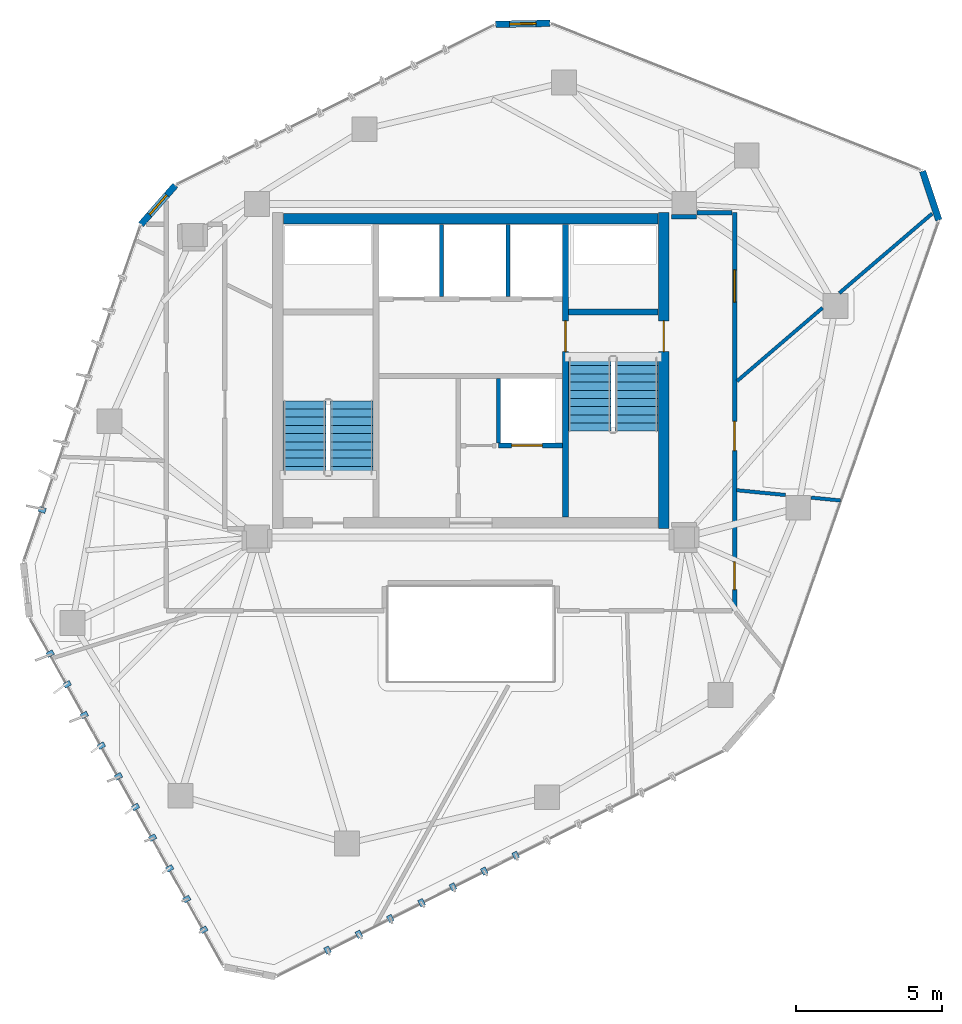
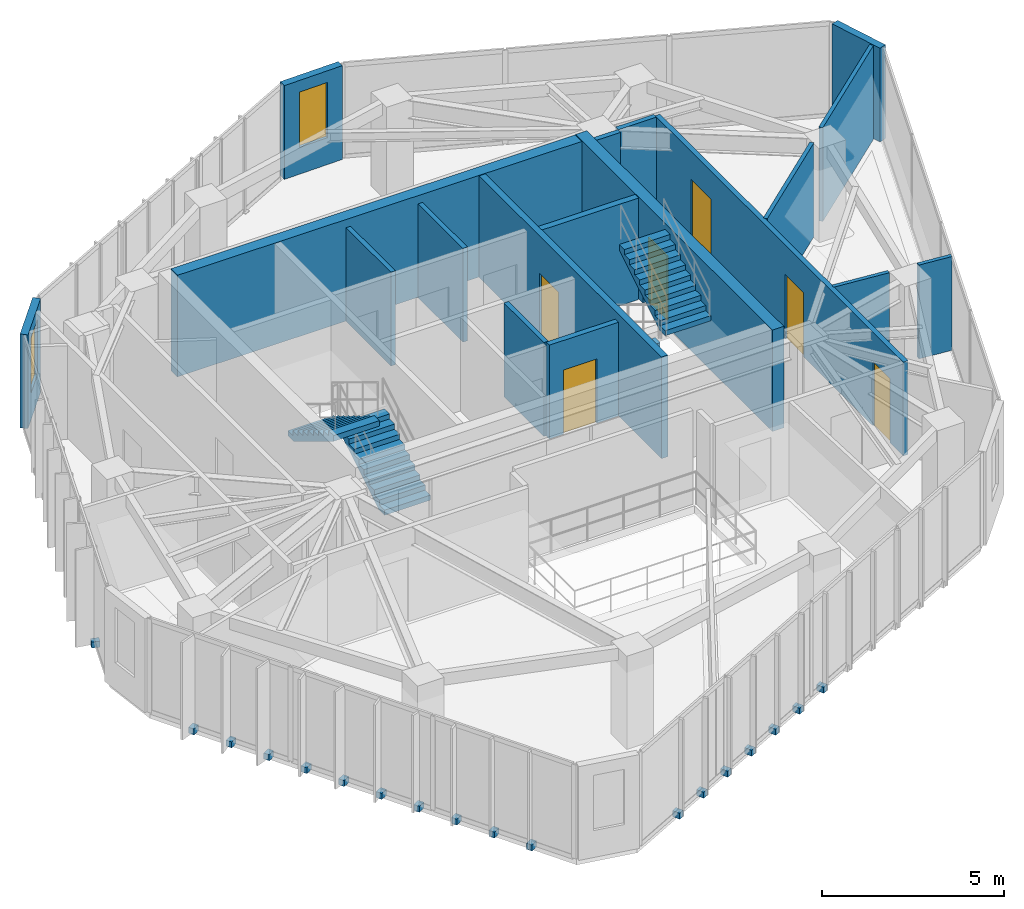
# One storey, part 18 of 21: 18 discrete accessories, 18 walls, 6 doors, 4 stair flights, 2 windows, 8 openings, 2 elements without a shape of their own.
"""IFC4 building model written with IfcOpenShell, lengths in metres."""

from ifc_helpers import new_model, si_unit, direction, frame, frame_2d, origin, origin_2d, place, context, subcontext, project, spatial, polyline, rectangle, outline, extrude, source, transform, mapped, material, layer, layer_set, type_object, type_shapes, element, fill, aggregate, save


model = new_model("IFC4")

# Units and contexts
model_context = context("Model", 3, precision=1e-05, world=origin(), true_north=direction((0.0, 1.0)))
body_context = subcontext(model_context, "Body", "Model", "MODEL_VIEW")
ifc_project = project(units=[si_unit("LENGTHUNIT", "METRE"), si_unit("AREAUNIT", "SQUARE_METRE"), si_unit("VOLUMEUNIT", "CUBIC_METRE"), si_unit("PLANEANGLEUNIT", "RADIAN"), si_unit("MASSUNIT", "GRAM", prefix="KILO")], contexts=[model_context])

# Site, building, storey
site_placement = place(None, origin())
site = spatial("IfcSite", under=ifc_project, at=site_placement, CompositionType="ELEMENT")
building_placement = place(site_placement, origin())
building = spatial("IfcBuilding", under=site, at=building_placement, Name="Talar Marvaseh", CompositionType="ELEMENT")
storey_placement = place(building_placement, frame((0.0, 0.0, 264.60009765625)))
storey = spatial("IfcBuildingStorey", under=building, at=storey_placement, Name="L70", CompositionType="ELEMENT", Elevation=264.60009765625)

# Wall, opening, window
ifc_material_1 = material(Name="Precast concrete C45/55", Category="concrete")
ifc_layer_1 = layer(ifc_material_1, 0.22509765625)
ifc_layer_set_1 = layer_set([ifc_layer_1], Name="Precast concrete C45/55")
wall_type_1 = type_object("IfcWallType", Name="Chamfered Hexagonal Corner Pier Wall Z4 225", PredefinedType="SOLIDWALL", material=ifc_layer_set_1)
wall_1_placement = place(storey_placement, frame((14.731689453125, 36.197998046875, 0.0), z_axis=(0.0, 0.0, 1.0), x_axis=(0.659387516574, 0.751803234222, 0.0)))
wall_1 = element("IfcWall", 1, at=wall_1_placement, inside=storey, type_object=wall_type_1, Name="L70 Chamfered Corner Limestone Pier 3", PredefinedType="SOLIDWALL", context=body_context, shape_type="SweptSolid", body=[
    extrude(rectangle(XDim=1.780517578125, YDim=0.22509765625, at=frame_2d((0.89013671875, 0.0))), origin(), (0.0, 0.0, 1.0), 3.139892578125),
])
opening_1_placement = place(wall_1_placement, frame((0.43994140625, 0.0, 0.89990234375)))
opening_1 = element("IfcOpeningElement", 2, at=opening_1_placement, cuts=wall_1, Name="Opening WN-CHM09", PredefinedType="OPENING", context=body_context, shape_type="SweptSolid", body=[
    extrude(rectangle(XDim=0.89990234375, YDim=1.85009765625, at=frame_2d((0.449951171875, 0.925048828125))), frame((0.0, 0.12255859375, 0.0), z_axis=(0.0, -1.0, 0.0), x_axis=(1.0, 0.0, 0.0)), (0.0, 0.0, 1.0), 0.2451171875),
])
ifc_material_2 = material(Name="Laminated Low-E Solar Glass", Category="glass")
window_type = type_object("IfcWindowType", Name="Zone 4 Chamfered Corner Slot Window 900x1850", PartitioningType="SINGLE_PANEL", PredefinedType="WINDOW", material=ifc_material_2)
shared_shape_1 = source(origin(), body_context, "Body", "SweptSolid", [
    extrude(rectangle(XDim=0.89990234375, YDim=1.85009765625, at=frame_2d((0.449951171875, 0.925048828125))), frame((0.0, 0.030029296875, 0.0), z_axis=(0.0, -1.0, 0.0), x_axis=(1.0, 0.0, 0.0)), (0.0, 0.0, 1.0), 0.06005859375),
])
type_shapes(window_type, [shared_shape_1])
window_1_placement = place(opening_1_placement, origin())
window_1 = element("IfcWindow", 3, at=window_1_placement, inside=storey, type_object=window_type, Name="L70 Chamfered Corner Slot Window", OverallHeight=1.85009765625, OverallWidth=0.89990234375, PartitioningType="SINGLE_PANEL", PredefinedType="WINDOW", context=body_context, shape_type="MappedRepresentation", body=[
    mapped(shared_shape_1, transform((0.0, 0.0, 0.0), x_axis=(1.0, 0.0, 0.0), y_axis=(0.0, 1.0, 0.0), z_axis=(0.0, 0.0, 1.0), scale=1.0)),
])
fill(opening_1, window_1)

wall_2_placement = place(storey_placement, frame((26.85595703125, 43.037841796875, 0.0), z_axis=(0.0, 0.0, 1.0), x_axis=(0.999807973263, 0.019596341491, 0.0)))
wall_2 = element("IfcWall", 4, at=wall_2_placement, inside=storey, type_object=wall_type_1, Name="L70 Chamfered Corner Limestone Pier 4", PredefinedType="SOLIDWALL", context=body_context, shape_type="SweptSolid", body=[
    extrude(rectangle(XDim=1.856201171875, YDim=0.22509765625, at=frame_2d((0.92822265625, 0.0))), origin(), (0.0, 0.0, 1.0), 3.139892578125),
])
opening_2_placement = place(wall_2_placement, frame((0.47802734375, 0.0, 0.89990234375)))
opening_2 = element("IfcOpeningElement", 5, at=opening_2_placement, cuts=wall_2, Name="Opening WN-CHM09", PredefinedType="OPENING", context=body_context, shape_type="SweptSolid", body=[
    extrude(rectangle(XDim=0.89990234375, YDim=1.85009765625, at=frame_2d((0.449951171875, 0.925048828125))), frame((0.0, 0.12255859375, 0.0), z_axis=(0.0, -1.0, 0.0), x_axis=(1.0, 0.0, 0.0)), (0.0, 0.0, 1.0), 0.2451171875),
])
window_2_placement = place(opening_2_placement, origin())
window_2 = element("IfcWindow", 6, at=window_2_placement, inside=storey, type_object=window_type, Name="L70 Chamfered Corner Slot Window", OverallHeight=1.85009765625, OverallWidth=0.89990234375, PartitioningType="SINGLE_PANEL", PredefinedType="WINDOW", context=body_context, shape_type="MappedRepresentation", body=[
    mapped(shared_shape_1, transform((0.0, 0.0, 0.0), x_axis=(1.0, 0.0, 0.0), y_axis=(0.0, 1.0, 0.0), z_axis=(0.0, 0.0, 1.0), scale=1.0)),
])
fill(opening_2, window_2)

# Wall
wall_3_placement = place(storey_placement, frame((41.44775390625, 38.014892578125, 0.0), z_axis=(0.0, 0.0, 1.0), x_axis=(0.314394135704, -0.949292540493, 0.0)))
element("IfcWall", 7, at=wall_3_placement, inside=storey, type_object=wall_type_1, Name="L70 Chamfered Corner Limestone Pier 5", PredefinedType="SOLIDWALL", context=body_context, shape_type="SweptSolid", body=[
    extrude(rectangle(XDim=1.758056640625, YDim=0.22509765625, at=frame_2d((0.87890625, 0.0))), origin(), (0.0, 0.0, 1.0), 3.139892578125),
])

# Wall, openings, doors
ifc_material_3 = material(Name="Gypsum Board Partition Assembly")
ifc_layer_2 = layer(ifc_material_3, 0.155029296875)
ifc_layer_set_2 = layer_set([ifc_layer_2], Name="Gypsum Board Partition Assembly")
wall_type_2 = type_object("IfcWallType", Name="Corridor Fire-Rated Acoustic Partition 155", PredefinedType="PARTITIONING", material=ifc_layer_set_2)
wall_4_placement = place(storey_placement, frame((35.02001953125, 36.60009765625, 0.0), z_axis=(0.0, 0.0, 1.0), x_axis=(0.0, -1.0, 0.0)))
wall_4 = element("IfcWall", 8, at=wall_4_placement, inside=storey, type_object=wall_type_2, Name="L70 Interior Partition Wall", PredefinedType="PARTITIONING", context=body_context, shape_type="SweptSolid", body=[
    extrude(rectangle(XDim=13.60009765625, YDim=0.155029296875, at=frame_2d((6.800048828125, 0.0))), origin(), (0.0, 0.0, 1.0), 3.139892578125),
])
opening_3_placement = place(wall_4_placement, frame((11.932373046875, 0.0, 0.0)))
opening_3 = element("IfcOpeningElement", 9, at=opening_3_placement, cuts=wall_4, Name="Opening DR-WC095", PredefinedType="OPENING", context=body_context, shape_type="SweptSolid", body=[
    extrude(rectangle(XDim=0.949951171875, YDim=2.14990234375, at=frame_2d((0.47509765625, 1.074951171875))), frame((0.0, 0.08740234375, 0.0), z_axis=(0.0, -1.0, 0.0), x_axis=(1.0, 0.0, 0.0)), (0.0, 0.0, 1.0), 0.175048828125),
])
opening_4_placement = place(wall_4_placement, frame((7.131591796875, 0.0, 0.0)))
opening_4 = element("IfcOpeningElement", 10, at=opening_4_placement, cuts=wall_4, Name="Opening DR-RM100", PredefinedType="OPENING", context=body_context, shape_type="SweptSolid", body=[
    extrude(rectangle(XDim=1.0, YDim=2.14990234375, at=frame_2d((0.5, 1.074951171875))), frame((0.0, 0.08740234375, 0.0), z_axis=(0.0, -1.0, 0.0), x_axis=(1.0, 0.0, 0.0)), (0.0, 0.0, 1.0), 0.175048828125),
])
opening_5_placement = place(wall_4_placement, frame((1.955810546875, 0.0, 0.0)))
opening_5 = element("IfcOpeningElement", 11, at=opening_5_placement, cuts=wall_4, Name="Opening DR-RM110", PredefinedType="OPENING", context=body_context, shape_type="SweptSolid", body=[
    extrude(rectangle(XDim=1.10009765625, YDim=2.199951171875, at=frame_2d((0.550048828125, 1.10009765625))), frame((0.0, 0.08740234375, 0.0), z_axis=(0.0, -1.0, 0.0), x_axis=(1.0, 0.0, 0.0)), (0.0, 0.0, 1.0), 0.175048828125),
])
ifc_material_4 = material(Name="Acoustic Engineered Oak Timber", Category="wood")
door_type_1 = type_object("IfcDoorType", Name="Washroom and Service Room Door 950x2150", OperationType="NOTDEFINED", PredefinedType="DOOR", material=ifc_material_4)
shared_shape_2 = source(origin(), body_context, "Body", "SweptSolid", [
    extrude(rectangle(XDim=0.949951171875, YDim=2.14990234375, at=frame_2d((0.47509765625, 1.074951171875))), frame((0.0, 0.02490234375, 0.0), z_axis=(0.0, -1.0, 0.0), x_axis=(1.0, 0.0, 0.0)), (0.0, 0.0, 1.0), 0.050048828125),
])
type_shapes(door_type_1, [shared_shape_2])
door_1_placement = place(opening_3_placement, origin())
door_1 = element("IfcDoor", 12, at=door_1_placement, inside=storey, type_object=door_type_1, Name="L70 WC Public Washrooms Door", OperationType="SINGLE_SWING_LEFT", OverallHeight=2.14990234375, OverallWidth=0.949951171875, PredefinedType="DOOR", context=body_context, shape_type="MappedRepresentation", body=[
    mapped(shared_shape_2, transform((0.0, 0.0, 0.0), x_axis=(1.0, 0.0, 0.0), y_axis=(0.0, 1.0, 0.0), z_axis=(0.0, 0.0, 1.0), scale=1.0)),
])
fill(opening_3, door_1)
door_type_2 = type_object("IfcDoorType", Name="Corridor Fire-Rated Gallery Door 1000x2150", OperationType="NOTDEFINED", PredefinedType="DOOR", material=ifc_material_4)
shared_shape_3 = source(origin(), body_context, "Body", "SweptSolid", [
    extrude(rectangle(XDim=1.0, YDim=2.14990234375, at=frame_2d((0.5, 1.074951171875))), frame((0.0, 0.02490234375, 0.0), z_axis=(0.0, -1.0, 0.0), x_axis=(1.0, 0.0, 0.0)), (0.0, 0.0, 1.0), 0.050048828125),
])
type_shapes(door_type_2, [shared_shape_3])
door_2_placement = place(opening_4_placement, origin())
door_2 = element("IfcDoor", 13, at=door_2_placement, inside=storey, type_object=door_type_2, Name="L70 Archival Facsimile Boutique Door", OperationType="SINGLE_SWING_RIGHT", OverallHeight=2.14990234375, OverallWidth=1.0, PredefinedType="DOOR", context=body_context, shape_type="MappedRepresentation", body=[
    mapped(shared_shape_3, transform((0.0, 0.0, 0.0), x_axis=(1.0, 0.0, 0.0), y_axis=(0.0, 1.0, 0.0), z_axis=(0.0, 0.0, 1.0), scale=1.0)),
])
fill(opening_4, door_2)
door_type_3 = type_object("IfcDoorType", Name="Assembly and Reading Hall Door 1100x2200", OperationType="NOTDEFINED", PredefinedType="DOOR", material=ifc_material_4)
shared_shape_4 = source(origin(), body_context, "Body", "SweptSolid", [
    extrude(rectangle(XDim=1.10009765625, YDim=2.199951171875, at=frame_2d((0.550048828125, 1.10009765625))), frame((0.0, 0.02490234375, 0.0), z_axis=(0.0, -1.0, 0.0), x_axis=(1.0, 0.0, 0.0)), (0.0, 0.0, 1.0), 0.050048828125),
])
type_shapes(door_type_3, [shared_shape_4])
door_3_placement = place(opening_5_placement, origin())
door_3 = element("IfcDoor", 14, at=door_3_placement, inside=storey, type_object=door_type_3, Name="L70 Gallery Security Control Room Door", OperationType="SINGLE_SWING_LEFT", OverallHeight=2.199951171875, OverallWidth=1.10009765625, PredefinedType="DOOR", context=body_context, shape_type="MappedRepresentation", body=[
    mapped(shared_shape_4, transform((0.0, 0.0, 0.0), x_axis=(1.0, 0.0, 0.0), y_axis=(0.0, 1.0, 0.0), z_axis=(0.0, 0.0, 1.0), scale=1.0)),
])
fill(opening_5, door_3)

# Walls
wall_5_placement = place(storey_placement, frame((32.8701171875, 36.464599609375, 0.0), z_axis=(0.0, 0.0, 1.0), x_axis=(0.999986873463, -0.005123758532, 0.0)))
element("IfcWall", 15, at=wall_5_placement, inside=storey, type_object=wall_type_2, Name="L70 Interior Partition Wall", PredefinedType="PARTITIONING", context=body_context, shape_type="SweptSolid", body=[
    extrude(rectangle(XDim=0.857666015625, YDim=0.155029296875, at=frame_2d((0.4287109375, 0.0))), origin(), (0.0, 0.0, 1.0), 3.139892578125),
])
wall_6_placement = place(storey_placement, frame((33.739990234375, 36.60009765625, 0.0), z_axis=(0.0, 0.0, 1.0), x_axis=(1.0, 0.0, 0.0)))
element("IfcWall", 16, at=wall_6_placement, inside=storey, type_object=wall_type_2, Name="L70 Interior Partition Wall", PredefinedType="PARTITIONING", context=body_context, shape_type="SweptSolid", body=[
    extrude(rectangle(XDim=1.196533203125, YDim=0.155029296875, at=frame_2d((0.59814453125, 0.0))), origin(), (0.0, 0.0, 1.0), 3.139892578125),
])
ifc_layer_3 = layer(ifc_material_3, 0.1201171875)
ifc_layer_set_3 = layer_set([ifc_layer_3], Name="Gypsum Board Partition Assembly")
wall_type_3 = type_object("IfcWallType", Name="Demountable Studio Room Partition 120", PredefinedType="PARTITIONING", material=ifc_layer_set_3)
wall_7_placement = place(storey_placement, frame((35.084716796875, 27.11376953125, 0.0), z_axis=(0.0, 0.0, 1.0), x_axis=(0.995253071633, -0.097320724434, 0.0)))
element("IfcWall", 17, at=wall_7_placement, inside=storey, type_object=wall_type_3, Name="L70 Interior Partition Wall", PredefinedType="PARTITIONING", context=body_context, shape_type="SweptSolid", body=[
    extrude(rectangle(XDim=1.683349609375, YDim=0.1201171875, at=frame_2d((0.841796875, 0.0))), origin(), (0.0, 0.0, 1.0), 3.139892578125),
])
wall_8_placement = place(storey_placement, frame((37.639892578125, 26.860107421875, 0.0), z_axis=(0.0, 0.0, 1.0), x_axis=(0.995260871544, -0.097240925407, 0.0)))
element("IfcWall", 18, at=wall_8_placement, inside=storey, type_object=wall_type_3, Name="L70 Interior Partition Wall", PredefinedType="PARTITIONING", context=body_context, shape_type="SweptSolid", body=[
    extrude(rectangle(XDim=1.004150390625, YDim=0.1201171875, at=frame_2d((0.501953125, 0.0))), origin(), (0.0, 0.0, 1.0), 3.139892578125),
])
wall_9_placement = place(storey_placement, frame((35.103515625, 30.841552734375, 0.0), z_axis=(0.0, 0.0, 1.0), x_axis=(0.759243189264, 0.650807021748, 0.0)))
element("IfcWall", 19, at=wall_9_placement, inside=storey, type_object=wall_type_3, Name="L70 Interior Partition Wall", PredefinedType="PARTITIONING", context=body_context, shape_type="SweptSolid", body=[
    extrude(rectangle(XDim=3.8544921875, YDim=0.1201171875, at=frame_2d((1.92724609375, 0.0))), origin(), (0.0, 0.0, 1.0), 3.139892578125),
])
wall_10_placement = place(storey_placement, frame((38.60009765625, 33.85009765625, 0.0), z_axis=(0.0, 0.0, 1.0), x_axis=(0.759590533317, 0.650401584942, 0.0)))
element("IfcWall", 20, at=wall_10_placement, inside=storey, type_object=wall_type_3, Name="L70 Interior Partition Wall", PredefinedType="PARTITIONING", context=body_context, shape_type="SweptSolid", body=[
    extrude(rectangle(XDim=4.178955078125, YDim=0.1201171875, at=frame_2d((2.08935546875, 0.0))), origin(), (0.0, 0.0, 1.0), 3.139892578125),
])
ifc_layer_4 = layer(ifc_material_1, 0.14501953125)
ifc_layer_set_4 = layer_set([ifc_layer_4], Name="Precast concrete C45/55")
wall_type_4 = type_object("IfcWallType", Name="Fire-Rated Lift Divider Wall 145", PredefinedType="SOLIDWALL", material=ifc_layer_set_4)
for number, where, z_axis, x_axis, name in (
    (21, (25.0, 33.743408203125, 0.0), (0.0, 0.0, 1.0), (0.0, 1.0, 0.0), "L70 FFL-1/FFL-2 Divider"),
    (22, (27.280029296875, 33.743408203125, 0.0), (0.0, 0.0, 1.0), (0.0, 1.0, 0.0), "L70 FFL-2/SVL-1 Divider"),
):
    element("IfcWall", number, at=place(storey_placement, frame(where, z_axis=z_axis, x_axis=x_axis)), inside=storey, type_object=wall_type_4, Name=name, PredefinedType="SOLIDWALL", context=body_context, shape_type="SweptSolid", body=[
        extrude(rectangle(XDim=2.45654296875, YDim=0.14501953125, at=frame_2d((1.228271484375, 0.0))), origin(), (0.0, 0.0, 1.0), 3.139892578125),
    ])
wall_11_placement = place(storey_placement, frame((26.949951171875, 28.7333984375, 0.0), z_axis=(0.0, 0.0, 1.0), x_axis=(0.0, 1.0, 0.0)))
element("IfcWall", 23, at=wall_11_placement, inside=storey, type_object=wall_type_4, Name="L70 PL-H3 West Shaft Wall", PredefinedType="SOLIDWALL", context=body_context, shape_type="SweptSolid", body=[
    extrude(rectangle(XDim=2.193115234375, YDim=0.14501953125, at=frame_2d((1.0966796875, 0.0))), origin(), (0.0, 0.0, 1.0), 3.139892578125),
])

# Wall, opening, door
ifc_layer_5 = layer(ifc_material_1, 0.175048828125)
ifc_layer_set_5 = layer_set([ifc_layer_5], Name="Precast concrete C45/55")
wall_type_5 = type_object("IfcWallType", Name="Fire-Rated Lift Hoistway Enclosure Wall 175", PredefinedType="SOLIDWALL", material=ifc_layer_set_5)
wall_12_placement = place(storey_placement, frame((26.949951171875, 28.639892578125, 0.0), z_axis=(0.0, 0.0, 1.0), x_axis=(1.0, 0.0, 0.0)))
wall_12 = element("IfcWall", 24, at=wall_12_placement, inside=storey, type_object=wall_type_5, Name="L70 Sky Express Lift Front Wall", PredefinedType="SOLIDWALL", context=body_context, shape_type="SweptSolid", body=[
    extrude(rectangle(XDim=2.18994140625, YDim=0.175048828125, at=frame_2d((1.094970703125, 0.0))), origin(), (0.0, 0.0, 1.0), 3.139892578125),
])
opening_6_placement = place(wall_12_placement, frame((0.449951171875, 0.0, 0.0)))
opening_6 = element("IfcOpeningElement", 25, at=opening_6_placement, cuts=wall_12, Name="Opening LD-PLH3", PredefinedType="OPENING", context=body_context, shape_type="SweptSolid", body=[
    extrude(rectangle(XDim=1.050048828125, YDim=2.14990234375, at=frame_2d((0.52490234375, 1.074951171875))), frame((0.0, 0.09765625, 0.0), z_axis=(0.0, -1.0, 0.0), x_axis=(1.0, 0.0, 0.0)), (0.0, 0.0, 1.0), 0.195068359375),
])
ifc_material_5 = material(Name="Stainless Steel Grade 316", Category="steel")
door_type_4 = type_object("IfcDoorType", Name="Automatic Sliding Lift Landing Door 1050x2150", OperationType="NOTDEFINED", PredefinedType="DOOR", material=ifc_material_5)
shared_shape_5 = source(origin(), body_context, "Body", "SweptSolid", [
    extrude(rectangle(XDim=1.050048828125, YDim=2.14990234375, at=frame_2d((0.52490234375, 1.074951171875))), frame((0.0, 0.02490234375, 0.0), z_axis=(0.0, -1.0, 0.0), x_axis=(1.0, 0.0, 0.0)), (0.0, 0.0, 1.0), 0.050048828125),
])
type_shapes(door_type_4, [shared_shape_5])
door_4_placement = place(opening_6_placement, origin())
door_4 = element("IfcDoor", 26, at=door_4_placement, inside=storey, type_object=door_type_4, Name="L70 Lift PL-H3 Sliding Landing Door", OperationType="SLIDING_TO_LEFT", OverallHeight=2.14990234375, OverallWidth=1.050048828125, PredefinedType="DOOR", context=body_context, shape_type="MappedRepresentation", body=[
    mapped(shared_shape_5, transform((0.0, 0.0, 0.0), x_axis=(1.0, 0.0, 0.0), y_axis=(0.0, 1.0, 0.0), z_axis=(0.0, 0.0, 1.0), scale=1.0)),
])
fill(opening_6, door_4)

ifc_material_6 = material(Name="Concrete C50/60", Category="concrete")
ifc_layer_6 = layer(ifc_material_6, 0.199951171875)
ifc_layer_set_6 = layer_set([ifc_layer_6], Name="Concrete C50/60")
wall_type_6 = type_object("IfcWallType", Name="Stair Shaft Structural Concrete Shear Wall 200", PredefinedType="SHEAR", material=ifc_layer_set_6)
wall_13_placement = place(storey_placement, frame((29.239990234375, 26.199951171875, 0.0), z_axis=(0.0, 0.0, 1.0), x_axis=(0.0, 1.0, 0.0)))
wall_13 = element("IfcWall", 27, at=wall_13_placement, inside=storey, type_object=wall_type_6, Name="L70 Core East Stair Shear Wall", PredefinedType="SHEAR", context=body_context, shape_type="SweptSolid", body=[
    extrude(rectangle(XDim=10.0, YDim=0.199951171875, at=frame_2d((5.0, 0.0))), origin(), (0.0, 0.0, 1.0), 3.39990234375),
])
opening_7_placement = place(wall_13_placement, frame((5.64990234375, 0.0, 0.0)))
opening_7 = element("IfcOpeningElement", 28, at=opening_7_placement, cuts=wall_13, Name="Opening DR-ST105", PredefinedType="OPENING", context=body_context, shape_type="SweptSolid", body=[
    extrude(rectangle(XDim=1.050048828125, YDim=2.14990234375, at=frame_2d((0.52490234375, 1.074951171875))), frame((0.0, 0.10986328125, 0.0), z_axis=(0.0, -1.0, 0.0), x_axis=(1.0, 0.0, 0.0)), (0.0, 0.0, 1.0), 0.219970703125),
])
ifc_material_7 = material(Name="Fire-Rated Steel Door Leaf", Category="steel")
door_type_5 = type_object("IfcDoorType", Name="Protected Exit Stair Fire Door 1050x2150", OperationType="NOTDEFINED", PredefinedType="DOOR", material=ifc_material_7)
shared_shape_6 = source(origin(), body_context, "Body", "SweptSolid", [
    extrude(rectangle(XDim=1.050048828125, YDim=2.14990234375, at=frame_2d((0.52490234375, 1.074951171875))), frame((0.0, 0.02490234375, 0.0), z_axis=(0.0, -1.0, 0.0), x_axis=(1.0, 0.0, 0.0)), (0.0, 0.0, 1.0), 0.050048828125),
])
type_shapes(door_type_5, [shared_shape_6])
door_5_placement = place(opening_7_placement, origin())
door_5 = element("IfcDoor", 29, at=door_5_placement, inside=storey, type_object=door_type_5, Name="L70 Firefighting Lobby to Stair ST-2 Door", OperationType="SINGLE_SWING_LEFT", OverallHeight=2.14990234375, OverallWidth=1.050048828125, PredefinedType="DOOR", context=body_context, shape_type="MappedRepresentation", body=[
    mapped(shared_shape_6, transform((0.0, 0.0, 0.0), x_axis=(1.0, 0.0, 0.0), y_axis=(0.0, 1.0, 0.0), z_axis=(0.0, 0.0, 1.0), scale=1.0)),
])
fill(opening_7, door_5)

# Wall
wall_14_placement = place(storey_placement, frame((29.340087890625, 33.199951171875, 0.0), z_axis=(0.0, 0.0, 1.0), x_axis=(1.0, 0.0, 0.0)))
element("IfcWall", 30, at=wall_14_placement, inside=storey, type_object=wall_type_6, Name="L70 Stair ST-2 North Shear Wall", PredefinedType="SHEAR", context=body_context, shape_type="SweptSolid", body=[
    extrude(rectangle(XDim=3.059814453125, YDim=0.199951171875, at=frame_2d((1.52978515625, 0.0))), origin(), (0.0, 0.0, 1.0), 3.39990234375),
])

# Wall, opening, door
ifc_layer_7 = layer(ifc_material_6, 0.360107421875)
ifc_layer_set_7 = layer_set([ifc_layer_7], Name="Concrete C50/60")
wall_type_7 = type_object("IfcWallType", Name="Upper Core Reinforced Concrete Shear Wall 360", PredefinedType="SHEAR", material=ifc_layer_set_7)
wall_15_placement = place(storey_placement, frame((32.60009765625, 36.60009765625, 0.0), z_axis=(0.0, 0.0, 1.0), x_axis=(0.0, -1.0, 0.0)))
wall_15 = element("IfcWall", 31, at=wall_15_placement, inside=storey, type_object=wall_type_7, Name="L70 East Core Shear Wall", PredefinedType="SHEAR", context=body_context, shape_type="SweptSolid", body=[
    extrude(rectangle(XDim=10.800048828125, YDim=0.360107421875, at=frame_2d((5.39990234375, 0.0))), origin(), (0.0, 0.0, 1.0), 3.39990234375),
])
opening_8_placement = place(wall_15_placement, frame((3.699951171875, 0.0, 0.0)))
opening_8 = element("IfcOpeningElement", 32, at=opening_8_placement, cuts=wall_15, Name="Opening DR-ST105", PredefinedType="OPENING", context=body_context, shape_type="SweptSolid", body=[
    extrude(rectangle(XDim=1.050048828125, YDim=2.14990234375, at=frame_2d((0.52490234375, 1.074951171875))), frame((0.0, 0.18994140625, 0.0), z_axis=(0.0, -1.0, 0.0), x_axis=(1.0, 0.0, 0.0)), (0.0, 0.0, 1.0), 0.380126953125),
])
door_6_placement = place(opening_8_placement, origin())
door_6 = element("IfcDoor", 33, at=door_6_placement, inside=storey, type_object=door_type_5, Name="L70 Stair ST-2 Corridor Exit Door", OperationType="SINGLE_SWING_LEFT", OverallHeight=2.14990234375, OverallWidth=1.050048828125, PredefinedType="DOOR", context=body_context, shape_type="MappedRepresentation", body=[
    mapped(shared_shape_6, transform((0.0, 0.0, 0.0), x_axis=(1.0, 0.0, 0.0), y_axis=(0.0, 1.0, 0.0), z_axis=(0.0, 0.0, 1.0), scale=1.0)),
])
fill(opening_8, door_6)

# Wall
wall_16_placement = place(storey_placement, frame((19.60009765625, 36.39990234375, 0.0), z_axis=(0.0, 0.0, 1.0), x_axis=(1.0, 0.0, 0.0)))
element("IfcWall", 34, at=wall_16_placement, inside=storey, type_object=wall_type_7, Name="L70 North Core Shear Wall", PredefinedType="SHEAR", context=body_context, shape_type="SweptSolid", body=[
    extrude(rectangle(XDim=12.7998046875, YDim=0.360107421875, at=frame_2d((6.39990234375, 0.0))), origin(), (0.0, 0.0, 1.0), 3.39990234375),
])

# Stair, stair flights
ifc_material_8 = material(Name="Concrete C40/50", Category="concrete")
stair_type = type_object("IfcStairType", Name="Reinforced Concrete High-Rise Exit Stair Type C", PredefinedType="HALF_TURN_STAIR", material=ifc_material_8)
stair_1_placement = place(storey_placement, origin())
stair_1 = element("IfcStair", 35, at=stair_1_placement, inside=storey, type_object=stair_type, Name="L70 Tower West Core Exit Stair", PredefinedType="HALF_TURN_STAIR")
ifc_layer_8 = layer(ifc_material_8, 0.159912109375)
ifc_layer_set_8 = layer_set([ifc_layer_8], Name="Concrete C40/50")
stair_flight_type = type_object("IfcStairFlightType", Name="Reinforced Concrete Straight Stair Flight 160", PredefinedType="STRAIGHT", material=ifc_layer_set_8)
stair_flight_1_placement = place(storey_placement, frame((21.93505859375, 27.64990234375, 0.0), z_axis=(0.0, 0.0, 1.0), x_axis=(0.0, 1.0, 0.0)))
stair_flight_1 = element("IfcStairFlight", 36, at=stair_flight_1_placement, type_object=stair_flight_type, Name="ST-1 flight 1", NumberOfRisers=10, NumberOfTreads=9, PredefinedType="STRAIGHT", RiserHeight=0.17, TreadLength=0.28, context=body_context, shape_type="SweptSolid", body=[
    extrude(outline(polyline([(0.0, 0.0), (0.0, 0.169921875), (0.280029296875, 0.169921875), (0.280029296875, 0.340087890625), (0.56005859375, 0.340087890625), (0.56005859375, 0.510009765625), (0.840087890625, 0.510009765625), (0.840087890625, 0.679931640625), (1.1201171875, 0.679931640625), (1.1201171875, 0.85009765625), (1.39990234375, 0.85009765625), (1.39990234375, 1.02001953125), (1.679931640625, 1.02001953125), (1.679931640625, 1.18994140625), (1.9599609375, 1.18994140625), (1.9599609375, 1.360107421875), (2.239990234375, 1.360107421875), (2.239990234375, 1.530029296875), (2.52001953125, 1.530029296875), (2.52001953125, 1.699951171875), (2.52001953125, 1.343017578125), (0.30810546875, 0.0), (0.0, 0.0)])), frame((0.0, 0.72509765625, 0.0), z_axis=(0.0, -1.0, 0.0), x_axis=(1.0, 0.0, 0.0)), (0.0, 0.0, 1.0), 1.449951171875),
])
stair_flight_2_placement = place(storey_placement, frame((20.324951171875, 30.169921875, 1.699951171875), z_axis=(0.0, 0.0, 1.0), x_axis=(0.0, -1.0, 0.0)))
stair_flight_2 = element("IfcStairFlight", 37, at=stair_flight_2_placement, type_object=stair_flight_type, Name="ST-1 flight 2", NumberOfRisers=10, NumberOfTreads=9, PredefinedType="STRAIGHT", RiserHeight=0.17, TreadLength=0.28, context=body_context, shape_type="SweptSolid", body=[
    extrude(outline(polyline([(0.0, 0.0), (0.0, 0.169921875), (0.280029296875, 0.169921875), (0.280029296875, 0.340087890625), (0.56005859375, 0.340087890625), (0.56005859375, 0.510009765625), (0.840087890625, 0.510009765625), (0.840087890625, 0.679931640625), (1.1201171875, 0.679931640625), (1.1201171875, 0.85009765625), (1.39990234375, 0.85009765625), (1.39990234375, 1.02001953125), (1.679931640625, 1.02001953125), (1.679931640625, 1.18994140625), (1.9599609375, 1.18994140625), (1.9599609375, 1.360107421875), (2.239990234375, 1.360107421875), (2.239990234375, 1.530029296875), (2.52001953125, 1.530029296875), (2.52001953125, 1.699951171875), (2.52001953125, 1.343017578125), (0.30810546875, 0.0), (0.0, 0.0)])), frame((0.0, 0.72509765625, 0.0), z_axis=(0.0, -1.0, 0.0), x_axis=(1.0, 0.0, 0.0)), (0.0, 0.0, 1.0), 1.449951171875),
])
aggregate(stair_1, [stair_flight_1, stair_flight_2])

stair_2_placement = place(storey_placement, origin())
stair_2 = element("IfcStair", 38, at=stair_2_placement, inside=storey, type_object=stair_type, Name="L70 Tower East Core Exit Stair", PredefinedType="HALF_TURN_STAIR")
stair_flight_3_placement = place(storey_placement, frame((30.06494140625, 31.64990234375, 0.0), z_axis=(0.0, 0.0, 1.0), x_axis=(0.0, -1.0, 0.0)))
stair_flight_3 = element("IfcStairFlight", 39, at=stair_flight_3_placement, type_object=stair_flight_type, Name="ST-2 flight 1", NumberOfRisers=10, NumberOfTreads=9, PredefinedType="STRAIGHT", RiserHeight=0.17, TreadLength=0.28, context=body_context, shape_type="SweptSolid", body=[
    extrude(outline(polyline([(0.0, 0.0), (0.0, 0.169921875), (0.280029296875, 0.169921875), (0.280029296875, 0.340087890625), (0.56005859375, 0.340087890625), (0.56005859375, 0.510009765625), (0.840087890625, 0.510009765625), (0.840087890625, 0.679931640625), (1.1201171875, 0.679931640625), (1.1201171875, 0.85009765625), (1.39990234375, 0.85009765625), (1.39990234375, 1.02001953125), (1.679931640625, 1.02001953125), (1.679931640625, 1.18994140625), (1.9599609375, 1.18994140625), (1.9599609375, 1.360107421875), (2.239990234375, 1.360107421875), (2.239990234375, 1.530029296875), (2.52001953125, 1.530029296875), (2.52001953125, 1.699951171875), (2.52001953125, 1.343017578125), (0.30810546875, 0.0), (0.0, 0.0)])), frame((0.0, 0.72509765625, 0.0), z_axis=(0.0, -1.0, 0.0), x_axis=(1.0, 0.0, 0.0)), (0.0, 0.0, 1.0), 1.449951171875),
])
stair_flight_4_placement = place(storey_placement, frame((31.675048828125, 29.1298828125, 1.699951171875), z_axis=(0.0, 0.0, 1.0), x_axis=(0.0, 1.0, 0.0)))
stair_flight_4 = element("IfcStairFlight", 40, at=stair_flight_4_placement, type_object=stair_flight_type, Name="ST-2 flight 2", NumberOfRisers=10, NumberOfTreads=9, PredefinedType="STRAIGHT", RiserHeight=0.17, TreadLength=0.28, context=body_context, shape_type="SweptSolid", body=[
    extrude(outline(polyline([(0.0, 0.0), (0.0, 0.169921875), (0.280029296875, 0.169921875), (0.280029296875, 0.340087890625), (0.56005859375, 0.340087890625), (0.56005859375, 0.510009765625), (0.840087890625, 0.510009765625), (0.840087890625, 0.679931640625), (1.1201171875, 0.679931640625), (1.1201171875, 0.85009765625), (1.39990234375, 0.85009765625), (1.39990234375, 1.02001953125), (1.679931640625, 1.02001953125), (1.679931640625, 1.18994140625), (1.9599609375, 1.18994140625), (1.9599609375, 1.360107421875), (2.239990234375, 1.360107421875), (2.239990234375, 1.530029296875), (2.52001953125, 1.530029296875), (2.52001953125, 1.699951171875), (2.52001953125, 1.343017578125), (0.30810546875, 0.0), (0.0, 0.0)])), frame((0.0, 0.72509765625, 0.0), z_axis=(0.0, -1.0, 0.0), x_axis=(1.0, 0.0, 0.0)), (0.0, 0.0, 1.0), 1.449951171875),
])
aggregate(stair_2, [stair_flight_3, stair_flight_4])

# Discrete accessories
discrete_accessory_type = type_object("IfcDiscreteAccessoryType", Name="Stainless Slab-Edge Fin Mounting Bracket", PredefinedType="BRACKET", material=ifc_material_5)
shared_shape_7 = source(origin(), body_context, "Body", "SweptSolid", [
    extrude(rectangle(XDim=0.239990234375, YDim=0.179931640625, at=origin_2d()), origin(), (0.0, 0.0, 1.0), 0.199951171875),
])
type_shapes(discrete_accessory_type, [shared_shape_7])
for number, where, z_axis, x_axis, name in (
    (41, (16.878662109375, 12.090087890625, -0.18017578125), (0.0, 0.0, 1.0), (-0.873772223035, -0.486335380423, 0.0), "L70 Vertical Fin Slab-Edge Bracket"),
    (42, (16.295166015625, 13.138427734375, -0.18017578125), (0.0, 0.0, 1.0), (-0.873772223035, -0.486335380423, 0.0), "L70 Vertical Fin Slab-Edge Bracket"),
    (43, (15.71142578125, 14.18701171875, -0.18017578125), (0.0, 0.0, 1.0), (-0.873772223035, -0.486335380423, 0.0), "L70 Vertical Fin Slab-Edge Bracket"),
    (44, (15.1279296875, 15.235595703125, -0.18017578125), (0.0, 0.0, 1.0), (-0.873772223035, -0.486335380423, 0.0), "L70 Vertical Fin Slab-Edge Bracket"),
    (45, (14.54443359375, 16.2841796875, -0.18017578125), (0.0, 0.0, 1.0), (-0.873772223035, -0.486335380423, 0.0), "L70 Vertical Fin Slab-Edge Bracket"),
    (46, (13.9609375, 17.332763671875, -0.18017578125), (0.0, 0.0, 1.0), (-0.873772223035, -0.486335380423, 0.0), "L70 Vertical Fin Slab-Edge Bracket"),
    (47, (13.37744140625, 18.38134765625, -0.18017578125), (0.0, 0.0, 1.0), (-0.873772223035, -0.486335380423, 0.0), "L70 Vertical Fin Slab-Edge Bracket"),
    (48, (12.7939453125, 19.429931640625, -0.18017578125), (0.0, 0.0, 1.0), (-0.873772223035, -0.486335380423, 0.0), "L70 Vertical Fin Slab-Edge Bracket"),
    (49, (12.210205078125, 20.478515625, -0.18017578125), (0.0, 0.0, 1.0), (-0.873772223035, -0.486335380423, 0.0), "L70 Vertical Fin Slab-Edge Bracket"),
    (50, (11.626708984375, 21.527099609375, -0.18017578125), (0.0, 0.0, 1.0), (-0.873772223035, -0.486335380423, 0.0), "L70 Vertical Fin Slab-Edge Bracket"),
    (51, (11.35400390625, 26.4404296875, -0.18017578125), (0.0, 0.0, 1.0), (-0.944491108816, 0.328536977169, 0.0), "L70 Vertical Fin Slab-Edge Bracket"),
    (52, (27.53759765625, 14.635009765625, -0.18017578125), (0.0, 0.0, 1.0), (0.450254288408, -0.892900372813, 0.0), "L70 Vertical Fin Slab-Edge Bracket"),
    (53, (26.46630859375, 14.094482421875, -0.18017578125), (0.0, 0.0, 1.0), (0.450254288408, -0.892900372813, 0.0), "L70 Vertical Fin Slab-Edge Bracket"),
    (54, (25.394775390625, 13.55419921875, -0.18017578125), (0.0, 0.0, 1.0), (0.450254288408, -0.892900372813, 0.0), "L70 Vertical Fin Slab-Edge Bracket"),
    (55, (24.3232421875, 13.013916015625, -0.18017578125), (0.0, 0.0, 1.0), (0.450254288408, -0.892900372813, 0.0), "L70 Vertical Fin Slab-Edge Bracket"),
    (56, (23.251708984375, 12.4736328125, -0.18017578125), (0.0, 0.0, 1.0), (0.450254288408, -0.892900372813, 0.0), "L70 Vertical Fin Slab-Edge Bracket"),
    (57, (22.180419921875, 11.93359375, -0.18017578125), (0.0, 0.0, 1.0), (0.450254288408, -0.892900372813, 0.0), "L70 Vertical Fin Slab-Edge Bracket"),
    (58, (21.10888671875, 11.393310546875, -0.18017578125), (0.0, 0.0, 1.0), (0.450254288408, -0.892900372813, 0.0), "L70 Vertical Fin Slab-Edge Bracket"),
):
    element("IfcDiscreteAccessory", number, at=place(storey_placement, frame(where, z_axis=z_axis, x_axis=x_axis)), inside=storey, type_object=discrete_accessory_type, Name=name, PredefinedType="BRACKET", context=body_context, shape_type="MappedRepresentation", body=[
        mapped(shared_shape_7, transform((0.0, 0.0, 0.0), x_axis=(1.0, 0.0, 0.0), y_axis=(0.0, 1.0, 0.0), z_axis=(0.0, 0.0, 1.0), scale=1.0)),
    ])

save(model, "model.ifc")
